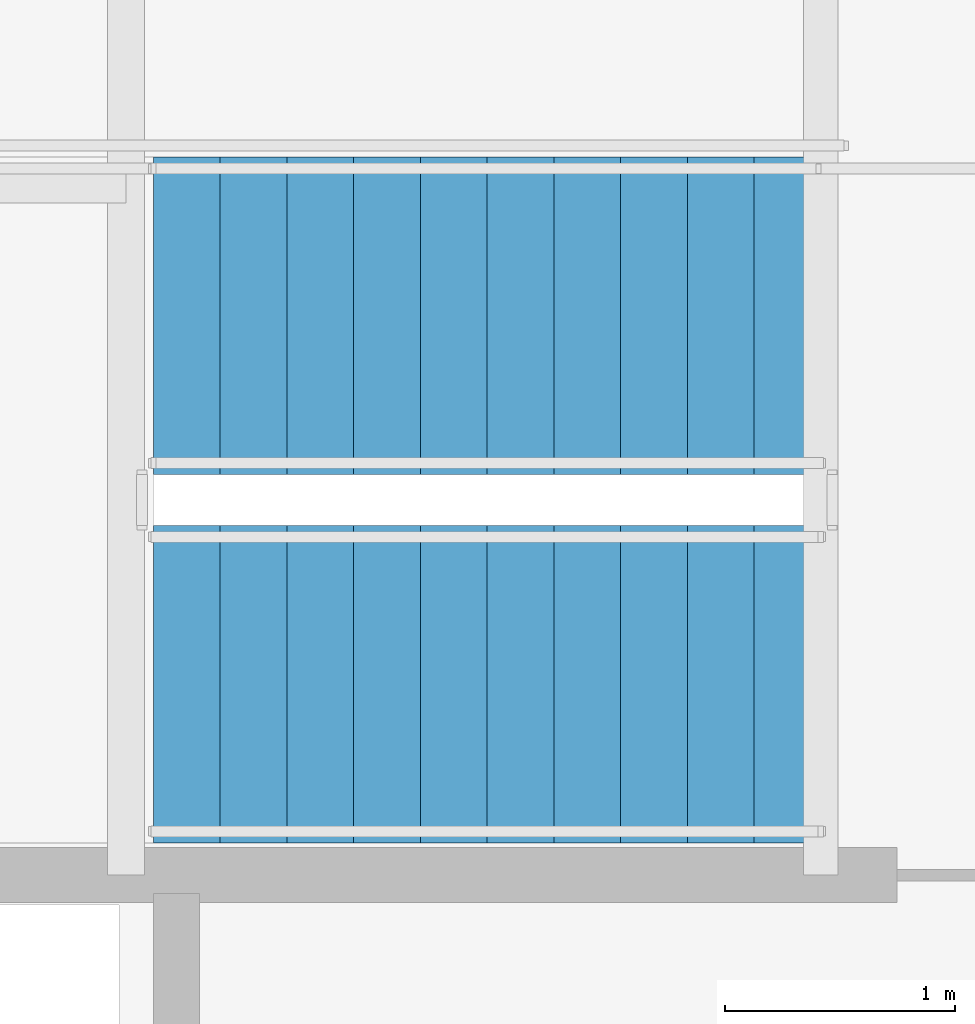
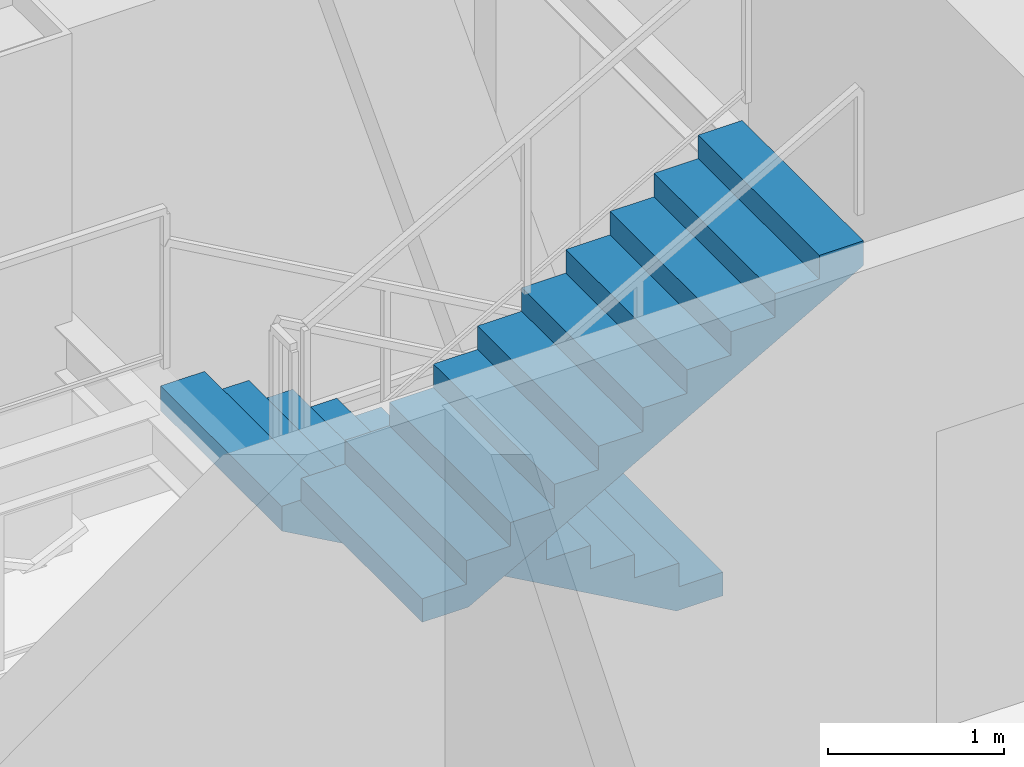
# One storey, part 26 of 28: 2 stair flights, 1 element without a shape of its own.
"""IFC4 building model written with IfcOpenShell, lengths in metres."""

from ifc_helpers import new_model, si_unit, direction, frame, origin, place, context, subcontext, project, spatial, polyline, outline, extrude, material, type_object, element, aggregate, save


model = new_model("IFC4")

# Units and contexts
model_context = context("Model", 3, precision=1e-05, world=origin(), true_north=direction((0.0, 1.0)))
body_context = subcontext(model_context, "Body", "Model", "MODEL_VIEW")
ifc_project = project(units=[si_unit("LENGTHUNIT", "METRE"), si_unit("AREAUNIT", "SQUARE_METRE"), si_unit("VOLUMEUNIT", "CUBIC_METRE"), si_unit("PLANEANGLEUNIT", "RADIAN"), si_unit("MASSUNIT", "GRAM", prefix="KILO")], contexts=[model_context])

# Site, building, storey
site_placement = place(None, origin())
site = spatial("IfcSite", under=ifc_project, at=site_placement, CompositionType="ELEMENT")
building_placement = place(site_placement, origin())
building = spatial("IfcBuilding", under=site, at=building_placement, Name="Khoronbel Lancet Exchange", CompositionType="ELEMENT")
storey_placement = place(building_placement, frame((0.0, 0.0, 291.39990234375)))
storey = spatial("IfcBuildingStorey", under=building, at=storey_placement, Name="L75", CompositionType="ELEMENT", Elevation=291.39990234375)

# Stair, stair flights
ifc_material = material(Name="Concrete C40/50", Category="concrete")
stair_type = type_object("IfcStairType", Name="STR-CORE150", PredefinedType="HALF_TURN_STAIR", material=ifc_material)
stair_placement = place(storey_placement, origin())
stair = element("IfcStair", 1, at=stair_placement, inside=storey, type_object=stair_type, Name="L75 Protected Exit Stair ST2", PredefinedType="HALF_TURN_STAIR")
stair_flight_type = type_object("IfcStairFlightType", Name="STF-150", PredefinedType="STRAIGHT", material=ifc_material)
stair_flight_1_placement = place(storey_placement, frame((54.60009765625, 51.409912109375, 0.0), z_axis=(0.0, 0.0, 1.0), x_axis=(-1.0, 0.0, 0.0)))
stair_flight_1 = element("IfcStairFlight", 2, at=stair_flight_1_placement, type_object=stair_flight_type, Name="ST2 flight 1", NumberOfRisers=11, NumberOfTreads=10, PredefinedType="STRAIGHT", RiserHeight=0.163636364, TreadLength=0.29, context=body_context, shape_type="SweptSolid", body=[
    extrude(outline(polyline([(0.0, 0.0), (0.0, 0.16357421875), (0.2900390625, 0.16357421875), (0.2900390625, 0.327392578125), (0.580078125, 0.327392578125), (0.580078125, 0.490966796875), (0.8701171875, 0.490966796875), (0.8701171875, 0.654541015625), (1.159912109375, 0.654541015625), (1.159912109375, 0.818115234375), (1.449951171875, 0.818115234375), (1.449951171875, 0.98193359375), (1.739990234375, 0.98193359375), (1.739990234375, 1.1455078125), (2.030029296875, 1.1455078125), (2.030029296875, 1.30908203125), (2.320068359375, 1.30908203125), (2.320068359375, 1.47265625), (2.610107421875, 1.47265625), (2.610107421875, 1.636474609375), (2.89990234375, 1.636474609375), (2.89990234375, 1.800048828125), (2.89990234375, 1.46435546875), (0.304931640625, 0.0), (0.0, 0.0)])), frame((0.0, 0.68994140625, 0.0), z_axis=(0.0, -1.0, 0.0), x_axis=(1.0, 0.0, 0.0)), (0.0, 0.0, 1.0), 1.3798828125),
])
stair_flight_2_placement = place(storey_placement, frame((51.699951171875, 49.81005859375, 1.800048828125), z_axis=(0.0, 0.0, 1.0), x_axis=(1.0, 0.0, 0.0)))
stair_flight_2 = element("IfcStairFlight", 3, at=stair_flight_2_placement, type_object=stair_flight_type, Name="ST2 flight 2", NumberOfRisers=11, NumberOfTreads=10, PredefinedType="STRAIGHT", RiserHeight=0.163636364, TreadLength=0.29, context=body_context, shape_type="SweptSolid", body=[
    extrude(outline(polyline([(0.0, 0.0), (0.0, 0.16357421875), (0.2900390625, 0.16357421875), (0.2900390625, 0.327392578125), (0.580078125, 0.327392578125), (0.580078125, 0.490966796875), (0.8701171875, 0.490966796875), (0.8701171875, 0.654541015625), (1.159912109375, 0.654541015625), (1.159912109375, 0.818115234375), (1.449951171875, 0.818115234375), (1.449951171875, 0.98193359375), (1.739990234375, 0.98193359375), (1.739990234375, 1.1455078125), (2.030029296875, 1.1455078125), (2.030029296875, 1.30908203125), (2.320068359375, 1.30908203125), (2.320068359375, 1.47265625), (2.610107421875, 1.47265625), (2.610107421875, 1.636474609375), (2.89990234375, 1.636474609375), (2.89990234375, 1.800048828125), (2.89990234375, 1.46435546875), (0.304931640625, 0.0), (0.0, 0.0)])), frame((0.0, 0.68994140625, 0.0), z_axis=(0.0, -1.0, 0.0), x_axis=(1.0, 0.0, 0.0)), (0.0, 0.0, 1.0), 1.3798828125),
])
aggregate(stair, [stair_flight_1, stair_flight_2])

save(model, "model.ifc")
